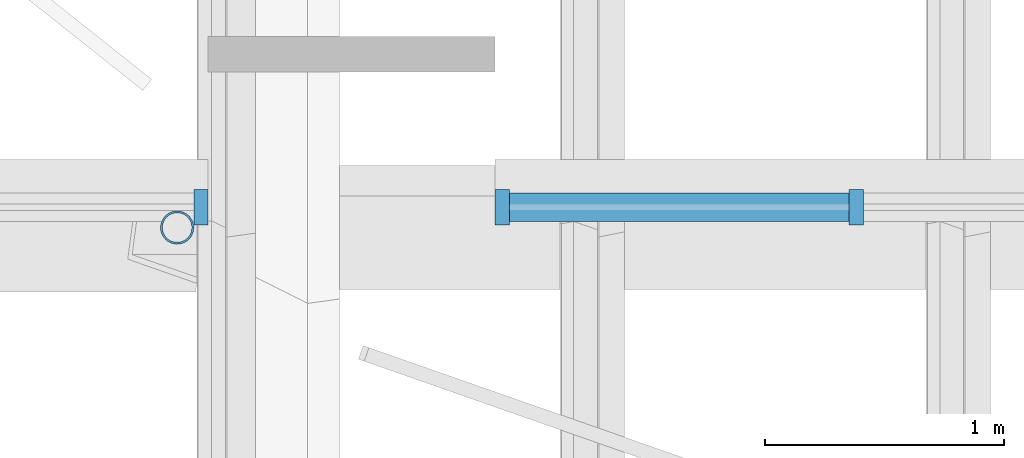
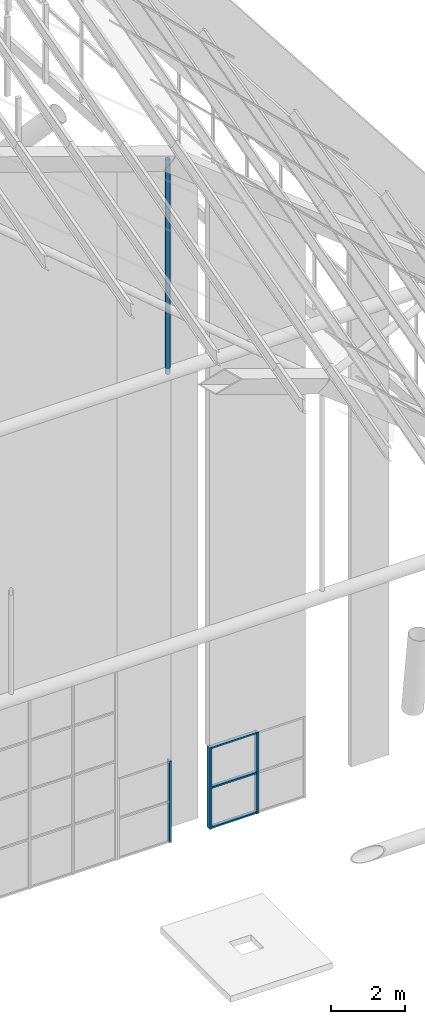
# One storey, part 65 of 126: 7 members, 2 elements without a shape of their own.
"""IFC4 building model written with IfcOpenShell, lengths in metres."""

from ifc_helpers import new_model, si_unit, direction, frame, origin, origin_2d, place, context, subcontext, project, spatial, rectangle, hollow_circle, extrude, material, material_profile, profile_set, type_object, element, aggregate, save


model = new_model("IFC4")

# Units and contexts
model_context = context("Model", 3, precision=1e-05, world=origin(), true_north=direction((0.0, 1.0)))
body_context = subcontext(model_context, "Body", "Model", "MODEL_VIEW")
ifc_project = project(units=[si_unit("LENGTHUNIT", "METRE"), si_unit("AREAUNIT", "SQUARE_METRE"), si_unit("VOLUMEUNIT", "CUBIC_METRE"), si_unit("PLANEANGLEUNIT", "RADIAN"), si_unit("MASSUNIT", "GRAM", prefix="KILO")], contexts=[model_context])

# Site, building, storey
site_placement = place(None, origin())
site = spatial("IfcSite", under=ifc_project, at=site_placement, CompositionType="ELEMENT")
building_placement = place(site_placement, origin())
building = spatial("IfcBuilding", under=site, at=building_placement, Name="Sava Quay Ferry Terminal", CompositionType="ELEMENT")
storey_placement = place(building_placement, frame((0.0, 0.0, 15.0)))
storey = spatial("IfcBuildingStorey", under=building, at=storey_placement, Name="L03", CompositionType="ELEMENT", Elevation=15.0)

# Curtain wall, member
ifc_material_1 = material(Name="Aluminium and glass curtain wall, double low-e glazed", Category="aluminium")
curtain_wall_type = type_object("IfcCurtainWallType", Name="Curtain wall CW-G gable", PredefinedType="NOTDEFINED", material=ifc_material_1)
curtain_wall_1_placement = place(storey_placement, origin())
curtain_wall_1 = element("IfcCurtainWall", 1, at=curtain_wall_1_placement, inside=storey, type_object=curtain_wall_type, Name="Curtain wall D-N L03 bay 51", PredefinedType="NOTDEFINED")
ifc_material_2 = material(Name="Aluminium EN AW-6063 T6", Category="aluminium")
ifc_material_profile_1 = material_profile(ifc_material_2, rectangle(XDim=0.14990234375, YDim=0.06005859375, at=origin_2d()), Name="Mullion 60x150 aluminium")
ifc_profile_set_1 = profile_set([ifc_material_profile_1], Name="Aluminium EN AW-6063 T6")
member_type_1 = type_object("IfcMemberType", Name="Mullion 60x150 aluminium", PredefinedType="MULLION", material=ifc_profile_set_1)
member_1_placement = place(storey_placement, frame((74.969970703125, 100.885009765625, 0.0), z_axis=(0.0, 0.0, 1.0), x_axis=(0.0, 1.0, 0.0)))
member_1 = element("IfcMember", 2, at=member_1_placement, type_object=member_type_1, Name="CW80 mullion 2", PredefinedType="MULLION", context=body_context, shape_type="SweptSolid", body=[
    extrude(rectangle(XDim=0.14990234375, YDim=0.06005859375, at=origin_2d()), origin(), (0.0, 0.0, 1.0), 2.699951171875),
])
aggregate(curtain_wall_1, [member_1])

# Curtain wall, members
curtain_wall_2_placement = place(storey_placement, origin())
curtain_wall_2 = element("IfcCurtainWall", 3, at=curtain_wall_2_placement, inside=storey, type_object=curtain_wall_type, Name="Curtain wall D-N L03 bay 52", PredefinedType="NOTDEFINED")
member_2_placement = place(storey_placement, frame((76.22998046875, 100.885009765625, 0.0), z_axis=(0.0, 0.0, 1.0), x_axis=(0.0, 1.0, 0.0)))
member_2 = element("IfcMember", 4, at=member_2_placement, type_object=member_type_1, Name="CW84 mullion 1", PredefinedType="MULLION", context=body_context, shape_type="SweptSolid", body=[
    extrude(rectangle(XDim=0.14990234375, YDim=0.06005859375, at=origin_2d()), origin(), (0.0, 0.0, 1.0), 2.699951171875),
])
member_3_placement = place(storey_placement, frame((77.7099609375, 100.885009765625, 0.0), z_axis=(0.0, 0.0, 1.0), x_axis=(0.0, 1.0, 0.0)))
member_3 = element("IfcMember", 5, at=member_3_placement, type_object=member_type_1, Name="CW84 mullion 2", PredefinedType="MULLION", context=body_context, shape_type="SweptSolid", body=[
    extrude(rectangle(XDim=0.14990234375, YDim=0.06005859375, at=origin_2d()), origin(), (0.0, 0.0, 1.0), 2.699951171875),
])

# Member
ifc_material_3 = material(Name="Steel S355", Category="steel")
ifc_material_profile_2 = material_profile(ifc_material_3, hollow_circle(Radius=0.06982421875, WallThickness=0.008056640625, at=origin_2d()), Name="CHS 139.7 x 8.0")
ifc_profile_set_2 = profile_set([ifc_material_profile_2], Name="Steel S355")
member_type_2 = type_object("IfcMemberType", Name="Tie hanger CHS 139.7x8", PredefinedType="USERDEFINED", material=ifc_profile_set_2)
member_4_placement = place(storey_placement, frame((74.8701171875, 100.800048828125, 15.625), z_axis=(0.0, 0.0, 1.0), x_axis=(1.0, 0.0, 0.0)))
element("IfcMember", 6, at=member_4_placement, inside=storey, type_object=member_type_2, Name="Departure hall tie hanger R6 V4", ObjectType="TIE HANGER", PredefinedType="USERDEFINED", context=body_context, shape_type="SweptSolid", body=[
    extrude(hollow_circle(Radius=0.06982421875, WallThickness=0.008056640625, at=origin_2d()), origin(), (0.0, 0.0, 1.0), 7.133056640625),
])

ifc_material_4 = material(Name="Aluminium EN AW-6063 T6", Category="aluminium")
ifc_material_profile_3 = material_profile(ifc_material_4, rectangle(XDim=0.1201171875, YDim=0.050048828125, at=origin_2d()), Name="Transom 50x120 aluminium")
ifc_profile_set_3 = profile_set([ifc_material_profile_3], Name="Aluminium EN AW-6063 T6")
member_type_3 = type_object("IfcMemberType", Name="Transom 50x120 aluminium", PredefinedType="USERDEFINED", material=ifc_profile_set_3)
member_5_placement = place(storey_placement, frame((76.260009765625, 100.885009765625, 0.02490234375), z_axis=(1.0, 0.0, 0.0), x_axis=(0.0, 1.0, 0.0)))
member_5 = element("IfcMember", 7, at=member_5_placement, type_object=member_type_3, Name="CW84 transom 1.1", ObjectType="TRANSOM", PredefinedType="USERDEFINED", context=body_context, shape_type="SweptSolid", body=[
    extrude(rectangle(XDim=0.1201171875, YDim=0.050048828125, at=origin_2d()), origin(), (0.0, 0.0, 1.0), 1.419921875),
])

member_6_placement = place(storey_placement, frame((76.260009765625, 100.885009765625, 1.35009765625), z_axis=(1.0, 0.0, 0.0), x_axis=(0.0, 1.0, 0.0)))
member_6 = element("IfcMember", 8, at=member_6_placement, type_object=member_type_3, Name="CW84 transom 1.2", ObjectType="TRANSOM", PredefinedType="USERDEFINED", context=body_context, shape_type="SweptSolid", body=[
    extrude(rectangle(XDim=0.1201171875, YDim=0.050048828125, at=origin_2d()), origin(), (0.0, 0.0, 1.0), 1.419921875),
])

member_7_placement = place(storey_placement, frame((76.260009765625, 100.885009765625, 2.675048828125), z_axis=(1.0, 0.0, 0.0), x_axis=(0.0, 1.0, 0.0)))
member_7 = element("IfcMember", 9, at=member_7_placement, type_object=member_type_3, Name="CW84 transom 1.3", ObjectType="TRANSOM", PredefinedType="USERDEFINED", context=body_context, shape_type="SweptSolid", body=[
    extrude(rectangle(XDim=0.1201171875, YDim=0.050048828125, at=origin_2d()), origin(), (0.0, 0.0, 1.0), 1.419921875),
])

aggregate(curtain_wall_2, [member_2, member_3, member_5, member_6, member_7])

save(model, "model.ifc")
